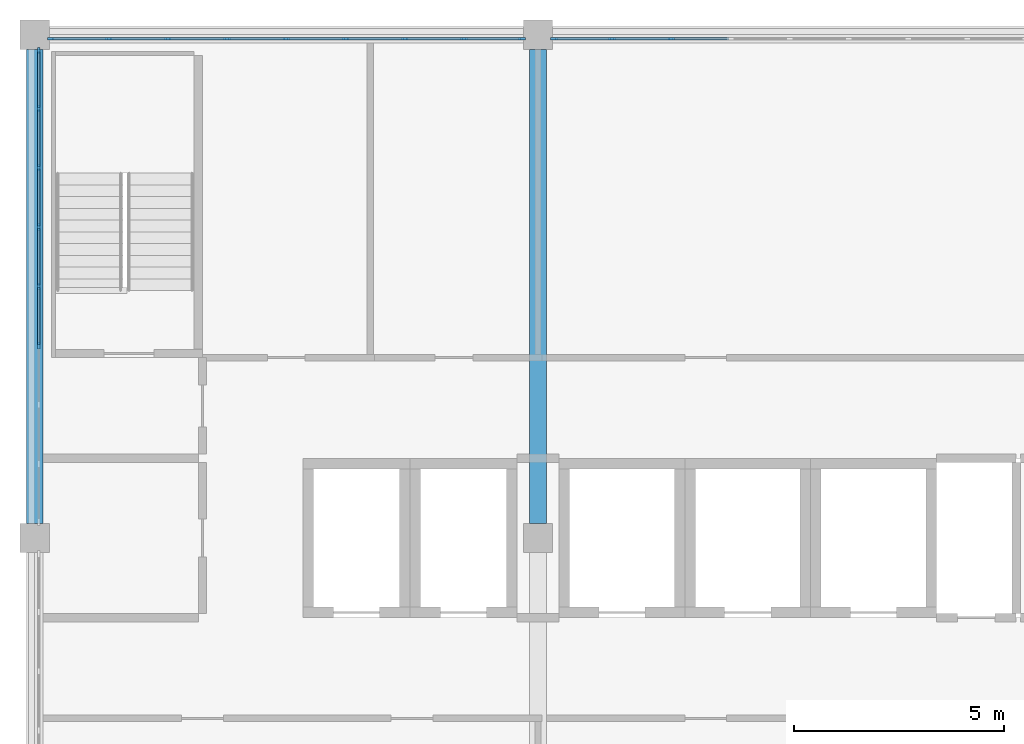
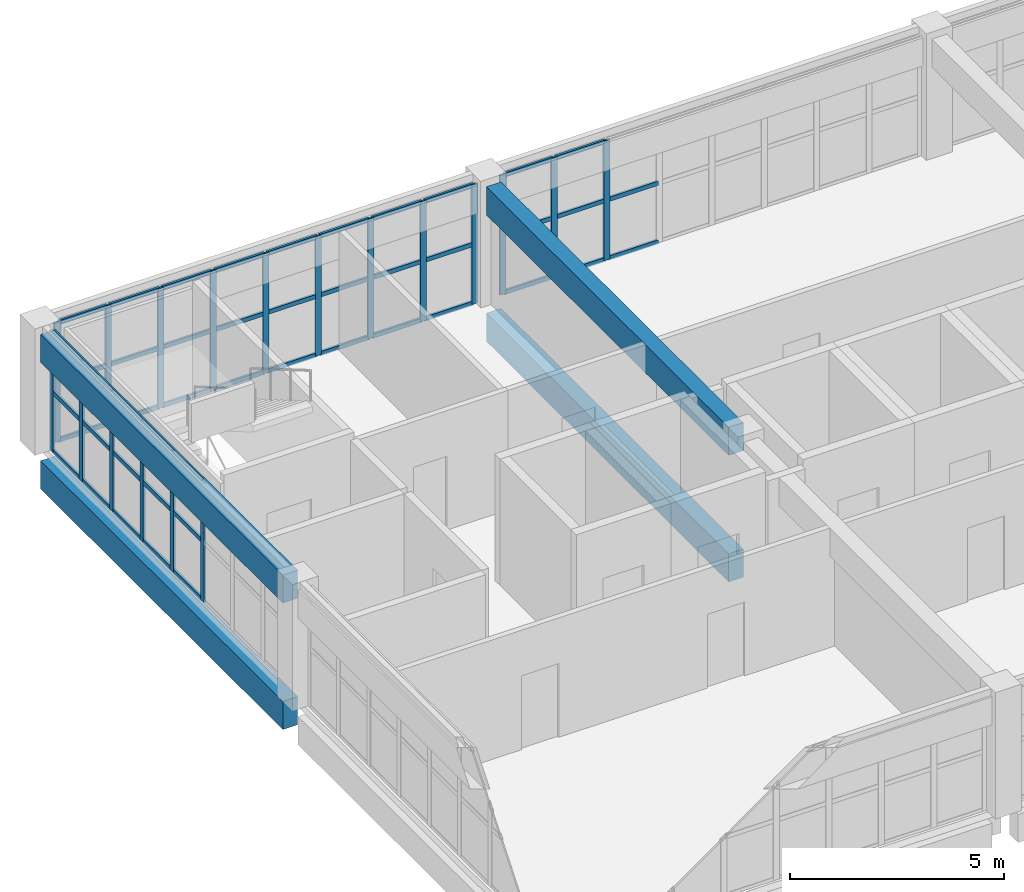
# One storey, part 5 of 16: 65 members, 4 beams, 3 elements without a shape of their own.
"""IFC4 building model written with IfcOpenShell, lengths in metres."""

from ifc_helpers import new_model, si_unit, direction, frame, origin, origin_2d, place, context, subcontext, project, spatial, rectangle, extrude, material, layer, layer_set, material_profile, profile_set, type_object, element, aggregate, save


model = new_model("IFC4")

# Units and contexts
model_context = context("Model", 3, precision=1e-05, world=origin(), true_north=direction((0.0, 1.0)))
body_context = subcontext(model_context, "Body", "Model", "MODEL_VIEW")
ifc_project = project(units=[si_unit("LENGTHUNIT", "METRE"), si_unit("AREAUNIT", "SQUARE_METRE"), si_unit("VOLUMEUNIT", "CUBIC_METRE"), si_unit("PLANEANGLEUNIT", "RADIAN"), si_unit("MASSUNIT", "GRAM", prefix="KILO")], contexts=[model_context])

# Site, building, storey
site_placement = place(None, origin())
site = spatial("IfcSite", under=ifc_project, at=site_placement, CompositionType="ELEMENT")
building_placement = place(site_placement, origin())
building = spatial("IfcBuilding", under=site, at=building_placement, Name="Lilac Gate Convention Centre", CompositionType="ELEMENT")
storey_placement = place(building_placement, frame((0.0, 0.0, 67.800048828125)))
storey = spatial("IfcBuildingStorey", under=building, at=storey_placement, Name="L17", CompositionType="ELEMENT", Elevation=67.800048828125)

# Curtain wall, members
ifc_material_1 = material(Name="Aluminium framed double glazing", Category="aluminium")
ifc_layer = layer(ifc_material_1, 0.199951171875)
ifc_layer_set = layer_set([ifc_layer], Name="Aluminium framed double glazing")
curtain_wall_type = type_object("IfcCurtainWallType", Name="Unitised curtain wall 1500", PredefinedType="NOTDEFINED", material=ifc_layer_set)
curtain_wall_1_placement = place(storey_placement, origin())
curtain_wall_1 = element("IfcCurtainWall", 1, at=curtain_wall_1_placement, inside=storey, type_object=curtain_wall_type, Name="Curtain wall N L17 3", PredefinedType="NOTDEFINED")
ifc_material_2 = material(Name="Aluminium alloy 6063", Category="aluminium")
ifc_material_profile_1 = material_profile(ifc_material_2, rectangle(XDim=0.06005859375, YDim=0.159912109375, at=origin_2d()), Name="Curtain wall mullion 60 x 160")
ifc_profile_set_1 = profile_set([ifc_material_profile_1], Name="Aluminium alloy 6063")
member_type_1 = type_object("IfcMemberType", Name="Curtain wall mullion 60 x 160", PredefinedType="MULLION", material=ifc_profile_set_1)
member_1_placement = place(storey_placement, frame((57.175048828125, 245.89990234375, 0.0), z_axis=(0.0, 0.0, 1.0), x_axis=(0.0, -1.0, 0.0)))
member_1 = element("IfcMember", 2, at=member_1_placement, type_object=member_type_1, Name="CW mullion 7", PredefinedType="MULLION", context=body_context, shape_type="SweptSolid", body=[
    extrude(rectangle(XDim=0.06005859375, YDim=0.159912109375, at=origin_2d()), origin(), (0.0, 0.0, 1.0), 3.39990234375),
])
member_2_placement = place(storey_placement, frame((55.762451171875, 245.89990234375, 0.0), z_axis=(0.0, 0.0, 1.0), x_axis=(0.0, -1.0, 0.0)))
member_2 = element("IfcMember", 3, at=member_2_placement, type_object=member_type_1, Name="CW mullion 8", PredefinedType="MULLION", context=body_context, shape_type="SweptSolid", body=[
    extrude(rectangle(XDim=0.06005859375, YDim=0.159912109375, at=origin_2d()), origin(), (0.0, 0.0, 1.0), 3.39990234375),
])
member_3_placement = place(storey_placement, frame((54.380126953125, 245.89990234375, 0.0), z_axis=(0.0, 0.0, 1.0), x_axis=(0.0, -1.0, 0.0)))
member_3 = element("IfcMember", 4, at=member_3_placement, type_object=member_type_1, Name="CW mullion 9", PredefinedType="MULLION", context=body_context, shape_type="SweptSolid", body=[
    extrude(rectangle(XDim=0.06005859375, YDim=0.159912109375, at=origin_2d()), origin(), (0.0, 0.0, 1.0), 3.39990234375),
])

curtain_wall_2_placement = place(storey_placement, origin())
curtain_wall_2 = element("IfcCurtainWall", 5, at=curtain_wall_2_placement, inside=storey, type_object=curtain_wall_type, Name="Curtain wall N L17 4", PredefinedType="NOTDEFINED")
member_4_placement = place(storey_placement, frame((53.619873046875, 245.89990234375, 0.0), z_axis=(0.0, 0.0, 1.0), x_axis=(0.0, -1.0, 0.0)))
member_4 = element("IfcMember", 6, at=member_4_placement, type_object=member_type_1, Name="CW mullion 1", PredefinedType="MULLION", context=body_context, shape_type="SweptSolid", body=[
    extrude(rectangle(XDim=0.06005859375, YDim=0.159912109375, at=origin_2d()), origin(), (0.0, 0.0, 1.0), 3.39990234375),
])
member_5_placement = place(storey_placement, frame((52.237548828125, 245.89990234375, 0.0), z_axis=(0.0, 0.0, 1.0), x_axis=(0.0, -1.0, 0.0)))
member_5 = element("IfcMember", 7, at=member_5_placement, type_object=member_type_1, Name="CW mullion 2", PredefinedType="MULLION", context=body_context, shape_type="SweptSolid", body=[
    extrude(rectangle(XDim=0.06005859375, YDim=0.159912109375, at=origin_2d()), origin(), (0.0, 0.0, 1.0), 3.39990234375),
])
member_6_placement = place(storey_placement, frame((50.824951171875, 245.89990234375, 0.0), z_axis=(0.0, 0.0, 1.0), x_axis=(0.0, -1.0, 0.0)))
member_6 = element("IfcMember", 8, at=member_6_placement, type_object=member_type_1, Name="CW mullion 3", PredefinedType="MULLION", context=body_context, shape_type="SweptSolid", body=[
    extrude(rectangle(XDim=0.06005859375, YDim=0.159912109375, at=origin_2d()), origin(), (0.0, 0.0, 1.0), 3.39990234375),
])
member_7_placement = place(storey_placement, frame((49.41259765625, 245.89990234375, 0.0), z_axis=(0.0, 0.0, 1.0), x_axis=(0.0, -1.0, 0.0)))
member_7 = element("IfcMember", 9, at=member_7_placement, type_object=member_type_1, Name="CW mullion 4", PredefinedType="MULLION", context=body_context, shape_type="SweptSolid", body=[
    extrude(rectangle(XDim=0.06005859375, YDim=0.159912109375, at=origin_2d()), origin(), (0.0, 0.0, 1.0), 3.39990234375),
])
member_8_placement = place(storey_placement, frame((48.0, 245.89990234375, 0.0), z_axis=(0.0, 0.0, 1.0), x_axis=(0.0, -1.0, 0.0)))
member_8 = element("IfcMember", 10, at=member_8_placement, type_object=member_type_1, Name="CW mullion 5", PredefinedType="MULLION", context=body_context, shape_type="SweptSolid", body=[
    extrude(rectangle(XDim=0.06005859375, YDim=0.159912109375, at=origin_2d()), origin(), (0.0, 0.0, 1.0), 3.39990234375),
])
member_9_placement = place(storey_placement, frame((46.58740234375, 245.89990234375, 0.0), z_axis=(0.0, 0.0, 1.0), x_axis=(0.0, -1.0, 0.0)))
member_9 = element("IfcMember", 11, at=member_9_placement, type_object=member_type_1, Name="CW mullion 6", PredefinedType="MULLION", context=body_context, shape_type="SweptSolid", body=[
    extrude(rectangle(XDim=0.06005859375, YDim=0.159912109375, at=origin_2d()), origin(), (0.0, 0.0, 1.0), 3.39990234375),
])
member_10_placement = place(storey_placement, frame((45.175048828125, 245.89990234375, 0.0), z_axis=(0.0, 0.0, 1.0), x_axis=(0.0, -1.0, 0.0)))
member_10 = element("IfcMember", 12, at=member_10_placement, type_object=member_type_1, Name="CW mullion 7", PredefinedType="MULLION", context=body_context, shape_type="SweptSolid", body=[
    extrude(rectangle(XDim=0.06005859375, YDim=0.159912109375, at=origin_2d()), origin(), (0.0, 0.0, 1.0), 3.39990234375),
])
member_11_placement = place(storey_placement, frame((43.762451171875, 245.89990234375, 0.0), z_axis=(0.0, 0.0, 1.0), x_axis=(0.0, -1.0, 0.0)))
member_11 = element("IfcMember", 13, at=member_11_placement, type_object=member_type_1, Name="CW mullion 8", PredefinedType="MULLION", context=body_context, shape_type="SweptSolid", body=[
    extrude(rectangle(XDim=0.06005859375, YDim=0.159912109375, at=origin_2d()), origin(), (0.0, 0.0, 1.0), 3.39990234375),
])
member_12_placement = place(storey_placement, frame((42.380126953125, 245.89990234375, 0.0), z_axis=(0.0, 0.0, 1.0), x_axis=(0.0, -1.0, 0.0)))
member_12 = element("IfcMember", 14, at=member_12_placement, type_object=member_type_1, Name="CW mullion 9", PredefinedType="MULLION", context=body_context, shape_type="SweptSolid", body=[
    extrude(rectangle(XDim=0.06005859375, YDim=0.159912109375, at=origin_2d()), origin(), (0.0, 0.0, 1.0), 3.39990234375),
])

curtain_wall_3_placement = place(storey_placement, origin())
curtain_wall_3 = element("IfcCurtainWall", 15, at=curtain_wall_3_placement, inside=storey, type_object=curtain_wall_type, Name="Curtain wall W L17 1", PredefinedType="NOTDEFINED")
member_13_placement = place(storey_placement, frame((42.10009765625, 245.619873046875, 0.0), z_axis=(0.0, 0.0, 1.0), x_axis=(1.0, 0.0, 0.0)))
member_13 = element("IfcMember", 16, at=member_13_placement, type_object=member_type_1, Name="CW mullion 1", PredefinedType="MULLION", context=body_context, shape_type="SweptSolid", body=[
    extrude(rectangle(XDim=0.06005859375, YDim=0.159912109375, at=origin_2d()), origin(), (0.0, 0.0, 1.0), 3.39990234375),
])
member_14_placement = place(storey_placement, frame((42.10009765625, 244.237548828125, 0.0), z_axis=(0.0, 0.0, 1.0), x_axis=(1.0, 0.0, 0.0)))
member_14 = element("IfcMember", 17, at=member_14_placement, type_object=member_type_1, Name="CW mullion 2", PredefinedType="MULLION", context=body_context, shape_type="SweptSolid", body=[
    extrude(rectangle(XDim=0.06005859375, YDim=0.159912109375, at=origin_2d()), origin(), (0.0, 0.0, 1.0), 3.39990234375),
])
member_15_placement = place(storey_placement, frame((42.10009765625, 242.824951171875, 0.0), z_axis=(0.0, 0.0, 1.0), x_axis=(1.0, 0.0, 0.0)))
member_15 = element("IfcMember", 18, at=member_15_placement, type_object=member_type_1, Name="CW mullion 3", PredefinedType="MULLION", context=body_context, shape_type="SweptSolid", body=[
    extrude(rectangle(XDim=0.06005859375, YDim=0.159912109375, at=origin_2d()), origin(), (0.0, 0.0, 1.0), 3.39990234375),
])
member_16_placement = place(storey_placement, frame((42.10009765625, 241.41259765625, 0.0), z_axis=(0.0, 0.0, 1.0), x_axis=(1.0, 0.0, 0.0)))
member_16 = element("IfcMember", 19, at=member_16_placement, type_object=member_type_1, Name="CW mullion 4", PredefinedType="MULLION", context=body_context, shape_type="SweptSolid", body=[
    extrude(rectangle(XDim=0.06005859375, YDim=0.159912109375, at=origin_2d()), origin(), (0.0, 0.0, 1.0), 3.39990234375),
])
member_17_placement = place(storey_placement, frame((42.10009765625, 240.0, 0.0), z_axis=(0.0, 0.0, 1.0), x_axis=(1.0, 0.0, 0.0)))
member_17 = element("IfcMember", 20, at=member_17_placement, type_object=member_type_1, Name="CW mullion 5", PredefinedType="MULLION", context=body_context, shape_type="SweptSolid", body=[
    extrude(rectangle(XDim=0.06005859375, YDim=0.159912109375, at=origin_2d()), origin(), (0.0, 0.0, 1.0), 3.39990234375),
])
member_18_placement = place(storey_placement, frame((42.10009765625, 238.58740234375, 0.0), z_axis=(0.0, 0.0, 1.0), x_axis=(1.0, 0.0, 0.0)))
member_18 = element("IfcMember", 21, at=member_18_placement, type_object=member_type_1, Name="CW mullion 6", PredefinedType="MULLION", context=body_context, shape_type="SweptSolid", body=[
    extrude(rectangle(XDim=0.06005859375, YDim=0.159912109375, at=origin_2d()), origin(), (0.0, 0.0, 1.0), 3.39990234375),
])

# Member
ifc_material_profile_2 = material_profile(ifc_material_2, rectangle(XDim=0.06005859375, YDim=0.1201171875, at=origin_2d()), Name="Curtain wall transom 60 x 120")
ifc_profile_set_2 = profile_set([ifc_material_profile_2], Name="Aluminium alloy 6063")
member_type_2 = type_object("IfcMemberType", Name="Curtain wall transom 60 x 120", PredefinedType="USERDEFINED", material=ifc_profile_set_2)
member_19_placement = place(storey_placement, frame((58.5576171875, 245.89990234375, 0.030029296875), z_axis=(-1.0, 0.0, 0.0), x_axis=(0.0, -1.0, 0.0)))
member_19 = element("IfcMember", 22, at=member_19_placement, type_object=member_type_2, Name="CW transom 6.1", ObjectType="TRANSOM", PredefinedType="USERDEFINED", context=body_context, shape_type="SweptSolid", body=[
    extrude(rectangle(XDim=0.06005859375, YDim=0.1201171875, at=origin_2d()), origin(), (0.0, 0.0, 1.0), 1.3525390625),
])

member_20_placement = place(storey_placement, frame((58.5576171875, 245.89990234375, 1.699951171875), z_axis=(-1.0, 0.0, 0.0), x_axis=(0.0, -1.0, 0.0)))
member_20 = element("IfcMember", 23, at=member_20_placement, type_object=member_type_2, Name="CW transom 6.2", ObjectType="TRANSOM", PredefinedType="USERDEFINED", context=body_context, shape_type="SweptSolid", body=[
    extrude(rectangle(XDim=0.06005859375, YDim=0.1201171875, at=origin_2d()), origin(), (0.0, 0.0, 1.0), 1.3525390625),
])

member_21_placement = place(storey_placement, frame((57.14501953125, 245.89990234375, 0.030029296875), z_axis=(-1.0, 0.0, 0.0), x_axis=(0.0, -1.0, 0.0)))
member_21 = element("IfcMember", 24, at=member_21_placement, type_object=member_type_2, Name="CW transom 7.1", ObjectType="TRANSOM", PredefinedType="USERDEFINED", context=body_context, shape_type="SweptSolid", body=[
    extrude(rectangle(XDim=0.06005859375, YDim=0.1201171875, at=origin_2d()), origin(), (0.0, 0.0, 1.0), 1.3525390625),
])

member_22_placement = place(storey_placement, frame((57.14501953125, 245.89990234375, 1.699951171875), z_axis=(-1.0, 0.0, 0.0), x_axis=(0.0, -1.0, 0.0)))
member_22 = element("IfcMember", 25, at=member_22_placement, type_object=member_type_2, Name="CW transom 7.2", ObjectType="TRANSOM", PredefinedType="USERDEFINED", context=body_context, shape_type="SweptSolid", body=[
    extrude(rectangle(XDim=0.06005859375, YDim=0.1201171875, at=origin_2d()), origin(), (0.0, 0.0, 1.0), 1.3525390625),
])

member_23_placement = place(storey_placement, frame((57.14501953125, 245.89990234375, 3.369873046875), z_axis=(-1.0, 0.0, 0.0), x_axis=(0.0, -1.0, 0.0)))
member_23 = element("IfcMember", 26, at=member_23_placement, type_object=member_type_2, Name="CW transom 7.3", ObjectType="TRANSOM", PredefinedType="USERDEFINED", context=body_context, shape_type="SweptSolid", body=[
    extrude(rectangle(XDim=0.06005859375, YDim=0.1201171875, at=origin_2d()), origin(), (0.0, 0.0, 1.0), 1.3525390625),
])

member_24_placement = place(storey_placement, frame((55.732666015625, 245.89990234375, 0.030029296875), z_axis=(-1.0, 0.0, 0.0), x_axis=(0.0, -1.0, 0.0)))
member_24 = element("IfcMember", 27, at=member_24_placement, type_object=member_type_2, Name="CW transom 8.1", ObjectType="TRANSOM", PredefinedType="USERDEFINED", context=body_context, shape_type="SweptSolid", body=[
    extrude(rectangle(XDim=0.06005859375, YDim=0.1201171875, at=origin_2d()), origin(), (0.0, 0.0, 1.0), 1.322509765625),
])

member_25_placement = place(storey_placement, frame((55.732666015625, 245.89990234375, 1.699951171875), z_axis=(-1.0, 0.0, 0.0), x_axis=(0.0, -1.0, 0.0)))
member_25 = element("IfcMember", 28, at=member_25_placement, type_object=member_type_2, Name="CW transom 8.2", ObjectType="TRANSOM", PredefinedType="USERDEFINED", context=body_context, shape_type="SweptSolid", body=[
    extrude(rectangle(XDim=0.06005859375, YDim=0.1201171875, at=origin_2d()), origin(), (0.0, 0.0, 1.0), 1.322509765625),
])

member_26_placement = place(storey_placement, frame((55.732666015625, 245.89990234375, 3.369873046875), z_axis=(-1.0, 0.0, 0.0), x_axis=(0.0, -1.0, 0.0)))
member_26 = element("IfcMember", 29, at=member_26_placement, type_object=member_type_2, Name="CW transom 8.3", ObjectType="TRANSOM", PredefinedType="USERDEFINED", context=body_context, shape_type="SweptSolid", body=[
    extrude(rectangle(XDim=0.06005859375, YDim=0.1201171875, at=origin_2d()), origin(), (0.0, 0.0, 1.0), 1.322509765625),
])

aggregate(curtain_wall_1, [member_1, member_2, member_3, member_19, member_20, member_21, member_22, member_23, member_24, member_25, member_26])

member_27_placement = place(storey_placement, frame((53.58984375, 245.89990234375, 0.030029296875), z_axis=(-1.0, 0.0, 0.0), x_axis=(0.0, -1.0, 0.0)))
member_27 = element("IfcMember", 30, at=member_27_placement, type_object=member_type_2, Name="CW transom 1.1", ObjectType="TRANSOM", PredefinedType="USERDEFINED", context=body_context, shape_type="SweptSolid", body=[
    extrude(rectangle(XDim=0.06005859375, YDim=0.1201171875, at=origin_2d()), origin(), (0.0, 0.0, 1.0), 1.322509765625),
])

member_28_placement = place(storey_placement, frame((53.58984375, 245.89990234375, 1.699951171875), z_axis=(-1.0, 0.0, 0.0), x_axis=(0.0, -1.0, 0.0)))
member_28 = element("IfcMember", 31, at=member_28_placement, type_object=member_type_2, Name="CW transom 1.2", ObjectType="TRANSOM", PredefinedType="USERDEFINED", context=body_context, shape_type="SweptSolid", body=[
    extrude(rectangle(XDim=0.06005859375, YDim=0.1201171875, at=origin_2d()), origin(), (0.0, 0.0, 1.0), 1.322509765625),
])

member_29_placement = place(storey_placement, frame((53.58984375, 245.89990234375, 3.369873046875), z_axis=(-1.0, 0.0, 0.0), x_axis=(0.0, -1.0, 0.0)))
member_29 = element("IfcMember", 32, at=member_29_placement, type_object=member_type_2, Name="CW transom 1.3", ObjectType="TRANSOM", PredefinedType="USERDEFINED", context=body_context, shape_type="SweptSolid", body=[
    extrude(rectangle(XDim=0.06005859375, YDim=0.1201171875, at=origin_2d()), origin(), (0.0, 0.0, 1.0), 1.322509765625),
])

member_30_placement = place(storey_placement, frame((52.20751953125, 245.89990234375, 0.030029296875), z_axis=(-1.0, 0.0, 0.0), x_axis=(0.0, -1.0, 0.0)))
member_30 = element("IfcMember", 33, at=member_30_placement, type_object=member_type_2, Name="CW transom 2.1", ObjectType="TRANSOM", PredefinedType="USERDEFINED", context=body_context, shape_type="SweptSolid", body=[
    extrude(rectangle(XDim=0.06005859375, YDim=0.1201171875, at=origin_2d()), origin(), (0.0, 0.0, 1.0), 1.3525390625),
])

member_31_placement = place(storey_placement, frame((52.20751953125, 245.89990234375, 1.699951171875), z_axis=(-1.0, 0.0, 0.0), x_axis=(0.0, -1.0, 0.0)))
member_31 = element("IfcMember", 34, at=member_31_placement, type_object=member_type_2, Name="CW transom 2.2", ObjectType="TRANSOM", PredefinedType="USERDEFINED", context=body_context, shape_type="SweptSolid", body=[
    extrude(rectangle(XDim=0.06005859375, YDim=0.1201171875, at=origin_2d()), origin(), (0.0, 0.0, 1.0), 1.3525390625),
])

member_32_placement = place(storey_placement, frame((52.20751953125, 245.89990234375, 3.369873046875), z_axis=(-1.0, 0.0, 0.0), x_axis=(0.0, -1.0, 0.0)))
member_32 = element("IfcMember", 35, at=member_32_placement, type_object=member_type_2, Name="CW transom 2.3", ObjectType="TRANSOM", PredefinedType="USERDEFINED", context=body_context, shape_type="SweptSolid", body=[
    extrude(rectangle(XDim=0.06005859375, YDim=0.1201171875, at=origin_2d()), origin(), (0.0, 0.0, 1.0), 1.3525390625),
])

member_33_placement = place(storey_placement, frame((50.794921875, 245.89990234375, 0.030029296875), z_axis=(-1.0, 0.0, 0.0), x_axis=(0.0, -1.0, 0.0)))
member_33 = element("IfcMember", 36, at=member_33_placement, type_object=member_type_2, Name="CW transom 3.1", ObjectType="TRANSOM", PredefinedType="USERDEFINED", context=body_context, shape_type="SweptSolid", body=[
    extrude(rectangle(XDim=0.06005859375, YDim=0.1201171875, at=origin_2d()), origin(), (0.0, 0.0, 1.0), 1.3525390625),
])

member_34_placement = place(storey_placement, frame((50.794921875, 245.89990234375, 1.699951171875), z_axis=(-1.0, 0.0, 0.0), x_axis=(0.0, -1.0, 0.0)))
member_34 = element("IfcMember", 37, at=member_34_placement, type_object=member_type_2, Name="CW transom 3.2", ObjectType="TRANSOM", PredefinedType="USERDEFINED", context=body_context, shape_type="SweptSolid", body=[
    extrude(rectangle(XDim=0.06005859375, YDim=0.1201171875, at=origin_2d()), origin(), (0.0, 0.0, 1.0), 1.3525390625),
])

member_35_placement = place(storey_placement, frame((50.794921875, 245.89990234375, 3.369873046875), z_axis=(-1.0, 0.0, 0.0), x_axis=(0.0, -1.0, 0.0)))
member_35 = element("IfcMember", 38, at=member_35_placement, type_object=member_type_2, Name="CW transom 3.3", ObjectType="TRANSOM", PredefinedType="USERDEFINED", context=body_context, shape_type="SweptSolid", body=[
    extrude(rectangle(XDim=0.06005859375, YDim=0.1201171875, at=origin_2d()), origin(), (0.0, 0.0, 1.0), 1.3525390625),
])

member_36_placement = place(storey_placement, frame((49.382568359375, 245.89990234375, 0.030029296875), z_axis=(-1.0, 0.0, 0.0), x_axis=(0.0, -1.0, 0.0)))
member_36 = element("IfcMember", 39, at=member_36_placement, type_object=member_type_2, Name="CW transom 4.1", ObjectType="TRANSOM", PredefinedType="USERDEFINED", context=body_context, shape_type="SweptSolid", body=[
    extrude(rectangle(XDim=0.06005859375, YDim=0.1201171875, at=origin_2d()), origin(), (0.0, 0.0, 1.0), 1.3525390625),
])

member_37_placement = place(storey_placement, frame((49.382568359375, 245.89990234375, 1.699951171875), z_axis=(-1.0, 0.0, 0.0), x_axis=(0.0, -1.0, 0.0)))
member_37 = element("IfcMember", 40, at=member_37_placement, type_object=member_type_2, Name="CW transom 4.2", ObjectType="TRANSOM", PredefinedType="USERDEFINED", context=body_context, shape_type="SweptSolid", body=[
    extrude(rectangle(XDim=0.06005859375, YDim=0.1201171875, at=origin_2d()), origin(), (0.0, 0.0, 1.0), 1.3525390625),
])

member_38_placement = place(storey_placement, frame((49.382568359375, 245.89990234375, 3.369873046875), z_axis=(-1.0, 0.0, 0.0), x_axis=(0.0, -1.0, 0.0)))
member_38 = element("IfcMember", 41, at=member_38_placement, type_object=member_type_2, Name="CW transom 4.3", ObjectType="TRANSOM", PredefinedType="USERDEFINED", context=body_context, shape_type="SweptSolid", body=[
    extrude(rectangle(XDim=0.06005859375, YDim=0.1201171875, at=origin_2d()), origin(), (0.0, 0.0, 1.0), 1.3525390625),
])

member_39_placement = place(storey_placement, frame((47.969970703125, 245.89990234375, 0.030029296875), z_axis=(-1.0, 0.0, 0.0), x_axis=(0.0, -1.0, 0.0)))
member_39 = element("IfcMember", 42, at=member_39_placement, type_object=member_type_2, Name="CW transom 5.1", ObjectType="TRANSOM", PredefinedType="USERDEFINED", context=body_context, shape_type="SweptSolid", body=[
    extrude(rectangle(XDim=0.06005859375, YDim=0.1201171875, at=origin_2d()), origin(), (0.0, 0.0, 1.0), 1.3525390625),
])

member_40_placement = place(storey_placement, frame((47.969970703125, 245.89990234375, 1.699951171875), z_axis=(-1.0, 0.0, 0.0), x_axis=(0.0, -1.0, 0.0)))
member_40 = element("IfcMember", 43, at=member_40_placement, type_object=member_type_2, Name="CW transom 5.2", ObjectType="TRANSOM", PredefinedType="USERDEFINED", context=body_context, shape_type="SweptSolid", body=[
    extrude(rectangle(XDim=0.06005859375, YDim=0.1201171875, at=origin_2d()), origin(), (0.0, 0.0, 1.0), 1.3525390625),
])

member_41_placement = place(storey_placement, frame((47.969970703125, 245.89990234375, 3.369873046875), z_axis=(-1.0, 0.0, 0.0), x_axis=(0.0, -1.0, 0.0)))
member_41 = element("IfcMember", 44, at=member_41_placement, type_object=member_type_2, Name="CW transom 5.3", ObjectType="TRANSOM", PredefinedType="USERDEFINED", context=body_context, shape_type="SweptSolid", body=[
    extrude(rectangle(XDim=0.06005859375, YDim=0.1201171875, at=origin_2d()), origin(), (0.0, 0.0, 1.0), 1.3525390625),
])

member_42_placement = place(storey_placement, frame((46.5576171875, 245.89990234375, 0.030029296875), z_axis=(-1.0, 0.0, 0.0), x_axis=(0.0, -1.0, 0.0)))
member_42 = element("IfcMember", 45, at=member_42_placement, type_object=member_type_2, Name="CW transom 6.1", ObjectType="TRANSOM", PredefinedType="USERDEFINED", context=body_context, shape_type="SweptSolid", body=[
    extrude(rectangle(XDim=0.06005859375, YDim=0.1201171875, at=origin_2d()), origin(), (0.0, 0.0, 1.0), 1.3525390625),
])

member_43_placement = place(storey_placement, frame((46.5576171875, 245.89990234375, 1.699951171875), z_axis=(-1.0, 0.0, 0.0), x_axis=(0.0, -1.0, 0.0)))
member_43 = element("IfcMember", 46, at=member_43_placement, type_object=member_type_2, Name="CW transom 6.2", ObjectType="TRANSOM", PredefinedType="USERDEFINED", context=body_context, shape_type="SweptSolid", body=[
    extrude(rectangle(XDim=0.06005859375, YDim=0.1201171875, at=origin_2d()), origin(), (0.0, 0.0, 1.0), 1.3525390625),
])

member_44_placement = place(storey_placement, frame((46.5576171875, 245.89990234375, 3.369873046875), z_axis=(-1.0, 0.0, 0.0), x_axis=(0.0, -1.0, 0.0)))
member_44 = element("IfcMember", 47, at=member_44_placement, type_object=member_type_2, Name="CW transom 6.3", ObjectType="TRANSOM", PredefinedType="USERDEFINED", context=body_context, shape_type="SweptSolid", body=[
    extrude(rectangle(XDim=0.06005859375, YDim=0.1201171875, at=origin_2d()), origin(), (0.0, 0.0, 1.0), 1.3525390625),
])

member_45_placement = place(storey_placement, frame((45.14501953125, 245.89990234375, 0.030029296875), z_axis=(-1.0, 0.0, 0.0), x_axis=(0.0, -1.0, 0.0)))
member_45 = element("IfcMember", 48, at=member_45_placement, type_object=member_type_2, Name="CW transom 7.1", ObjectType="TRANSOM", PredefinedType="USERDEFINED", context=body_context, shape_type="SweptSolid", body=[
    extrude(rectangle(XDim=0.06005859375, YDim=0.1201171875, at=origin_2d()), origin(), (0.0, 0.0, 1.0), 1.3525390625),
])

member_46_placement = place(storey_placement, frame((45.14501953125, 245.89990234375, 1.699951171875), z_axis=(-1.0, 0.0, 0.0), x_axis=(0.0, -1.0, 0.0)))
member_46 = element("IfcMember", 49, at=member_46_placement, type_object=member_type_2, Name="CW transom 7.2", ObjectType="TRANSOM", PredefinedType="USERDEFINED", context=body_context, shape_type="SweptSolid", body=[
    extrude(rectangle(XDim=0.06005859375, YDim=0.1201171875, at=origin_2d()), origin(), (0.0, 0.0, 1.0), 1.3525390625),
])

member_47_placement = place(storey_placement, frame((45.14501953125, 245.89990234375, 3.369873046875), z_axis=(-1.0, 0.0, 0.0), x_axis=(0.0, -1.0, 0.0)))
member_47 = element("IfcMember", 50, at=member_47_placement, type_object=member_type_2, Name="CW transom 7.3", ObjectType="TRANSOM", PredefinedType="USERDEFINED", context=body_context, shape_type="SweptSolid", body=[
    extrude(rectangle(XDim=0.06005859375, YDim=0.1201171875, at=origin_2d()), origin(), (0.0, 0.0, 1.0), 1.3525390625),
])

member_48_placement = place(storey_placement, frame((43.732666015625, 245.89990234375, 0.030029296875), z_axis=(-1.0, 0.0, 0.0), x_axis=(0.0, -1.0, 0.0)))
member_48 = element("IfcMember", 51, at=member_48_placement, type_object=member_type_2, Name="CW transom 8.1", ObjectType="TRANSOM", PredefinedType="USERDEFINED", context=body_context, shape_type="SweptSolid", body=[
    extrude(rectangle(XDim=0.06005859375, YDim=0.1201171875, at=origin_2d()), origin(), (0.0, 0.0, 1.0), 1.322509765625),
])

member_49_placement = place(storey_placement, frame((43.732666015625, 245.89990234375, 1.699951171875), z_axis=(-1.0, 0.0, 0.0), x_axis=(0.0, -1.0, 0.0)))
member_49 = element("IfcMember", 52, at=member_49_placement, type_object=member_type_2, Name="CW transom 8.2", ObjectType="TRANSOM", PredefinedType="USERDEFINED", context=body_context, shape_type="SweptSolid", body=[
    extrude(rectangle(XDim=0.06005859375, YDim=0.1201171875, at=origin_2d()), origin(), (0.0, 0.0, 1.0), 1.322509765625),
])

member_50_placement = place(storey_placement, frame((43.732666015625, 245.89990234375, 3.369873046875), z_axis=(-1.0, 0.0, 0.0), x_axis=(0.0, -1.0, 0.0)))
member_50 = element("IfcMember", 53, at=member_50_placement, type_object=member_type_2, Name="CW transom 8.3", ObjectType="TRANSOM", PredefinedType="USERDEFINED", context=body_context, shape_type="SweptSolid", body=[
    extrude(rectangle(XDim=0.06005859375, YDim=0.1201171875, at=origin_2d()), origin(), (0.0, 0.0, 1.0), 1.322509765625),
])

aggregate(curtain_wall_2, [member_4, member_5, member_6, member_7, member_8, member_9, member_10, member_11, member_12, member_27, member_28, member_29, member_30, member_31, member_32, member_33, member_34, member_35, member_36, member_37, member_38, member_39, member_40, member_41, member_42, member_43, member_44, member_45, member_46, member_47, member_48, member_49, member_50])

member_51_placement = place(storey_placement, frame((42.10009765625, 245.58984375, 0.030029296875), z_axis=(0.0, -1.0, 0.0), x_axis=(1.0, 0.0, 0.0)))
member_51 = element("IfcMember", 54, at=member_51_placement, type_object=member_type_2, Name="CW transom 1.1", ObjectType="TRANSOM", PredefinedType="USERDEFINED", context=body_context, shape_type="SweptSolid", body=[
    extrude(rectangle(XDim=0.06005859375, YDim=0.1201171875, at=origin_2d()), origin(), (0.0, 0.0, 1.0), 1.322509765625),
])

member_52_placement = place(storey_placement, frame((42.10009765625, 245.58984375, 1.699951171875), z_axis=(0.0, -1.0, 0.0), x_axis=(1.0, 0.0, 0.0)))
member_52 = element("IfcMember", 55, at=member_52_placement, type_object=member_type_2, Name="CW transom 1.2", ObjectType="TRANSOM", PredefinedType="USERDEFINED", context=body_context, shape_type="SweptSolid", body=[
    extrude(rectangle(XDim=0.06005859375, YDim=0.1201171875, at=origin_2d()), origin(), (0.0, 0.0, 1.0), 1.322509765625),
])

member_53_placement = place(storey_placement, frame((42.10009765625, 245.58984375, 3.369873046875), z_axis=(0.0, -1.0, 0.0), x_axis=(1.0, 0.0, 0.0)))
member_53 = element("IfcMember", 56, at=member_53_placement, type_object=member_type_2, Name="CW transom 1.3", ObjectType="TRANSOM", PredefinedType="USERDEFINED", context=body_context, shape_type="SweptSolid", body=[
    extrude(rectangle(XDim=0.06005859375, YDim=0.1201171875, at=origin_2d()), origin(), (0.0, 0.0, 1.0), 1.322509765625),
])

member_54_placement = place(storey_placement, frame((42.10009765625, 244.20751953125, 0.030029296875), z_axis=(0.0, -1.0, 0.0), x_axis=(1.0, 0.0, 0.0)))
member_54 = element("IfcMember", 57, at=member_54_placement, type_object=member_type_2, Name="CW transom 2.1", ObjectType="TRANSOM", PredefinedType="USERDEFINED", context=body_context, shape_type="SweptSolid", body=[
    extrude(rectangle(XDim=0.06005859375, YDim=0.1201171875, at=origin_2d()), origin(), (0.0, 0.0, 1.0), 1.3525390625),
])

member_55_placement = place(storey_placement, frame((42.10009765625, 244.20751953125, 1.699951171875), z_axis=(0.0, -1.0, 0.0), x_axis=(1.0, 0.0, 0.0)))
member_55 = element("IfcMember", 58, at=member_55_placement, type_object=member_type_2, Name="CW transom 2.2", ObjectType="TRANSOM", PredefinedType="USERDEFINED", context=body_context, shape_type="SweptSolid", body=[
    extrude(rectangle(XDim=0.06005859375, YDim=0.1201171875, at=origin_2d()), origin(), (0.0, 0.0, 1.0), 1.3525390625),
])

member_56_placement = place(storey_placement, frame((42.10009765625, 244.20751953125, 3.369873046875), z_axis=(0.0, -1.0, 0.0), x_axis=(1.0, 0.0, 0.0)))
member_56 = element("IfcMember", 59, at=member_56_placement, type_object=member_type_2, Name="CW transom 2.3", ObjectType="TRANSOM", PredefinedType="USERDEFINED", context=body_context, shape_type="SweptSolid", body=[
    extrude(rectangle(XDim=0.06005859375, YDim=0.1201171875, at=origin_2d()), origin(), (0.0, 0.0, 1.0), 1.3525390625),
])

member_57_placement = place(storey_placement, frame((42.10009765625, 242.794921875, 0.030029296875), z_axis=(0.0, -1.0, 0.0), x_axis=(1.0, 0.0, 0.0)))
member_57 = element("IfcMember", 60, at=member_57_placement, type_object=member_type_2, Name="CW transom 3.1", ObjectType="TRANSOM", PredefinedType="USERDEFINED", context=body_context, shape_type="SweptSolid", body=[
    extrude(rectangle(XDim=0.06005859375, YDim=0.1201171875, at=origin_2d()), origin(), (0.0, 0.0, 1.0), 1.3525390625),
])

member_58_placement = place(storey_placement, frame((42.10009765625, 242.794921875, 1.699951171875), z_axis=(0.0, -1.0, 0.0), x_axis=(1.0, 0.0, 0.0)))
member_58 = element("IfcMember", 61, at=member_58_placement, type_object=member_type_2, Name="CW transom 3.2", ObjectType="TRANSOM", PredefinedType="USERDEFINED", context=body_context, shape_type="SweptSolid", body=[
    extrude(rectangle(XDim=0.06005859375, YDim=0.1201171875, at=origin_2d()), origin(), (0.0, 0.0, 1.0), 1.3525390625),
])

member_59_placement = place(storey_placement, frame((42.10009765625, 242.794921875, 3.369873046875), z_axis=(0.0, -1.0, 0.0), x_axis=(1.0, 0.0, 0.0)))
member_59 = element("IfcMember", 62, at=member_59_placement, type_object=member_type_2, Name="CW transom 3.3", ObjectType="TRANSOM", PredefinedType="USERDEFINED", context=body_context, shape_type="SweptSolid", body=[
    extrude(rectangle(XDim=0.06005859375, YDim=0.1201171875, at=origin_2d()), origin(), (0.0, 0.0, 1.0), 1.3525390625),
])

member_60_placement = place(storey_placement, frame((42.10009765625, 241.382568359375, 0.030029296875), z_axis=(0.0, -1.0, 0.0), x_axis=(1.0, 0.0, 0.0)))
member_60 = element("IfcMember", 63, at=member_60_placement, type_object=member_type_2, Name="CW transom 4.1", ObjectType="TRANSOM", PredefinedType="USERDEFINED", context=body_context, shape_type="SweptSolid", body=[
    extrude(rectangle(XDim=0.06005859375, YDim=0.1201171875, at=origin_2d()), origin(), (0.0, 0.0, 1.0), 1.3525390625),
])

member_61_placement = place(storey_placement, frame((42.10009765625, 241.382568359375, 1.699951171875), z_axis=(0.0, -1.0, 0.0), x_axis=(1.0, 0.0, 0.0)))
member_61 = element("IfcMember", 64, at=member_61_placement, type_object=member_type_2, Name="CW transom 4.2", ObjectType="TRANSOM", PredefinedType="USERDEFINED", context=body_context, shape_type="SweptSolid", body=[
    extrude(rectangle(XDim=0.06005859375, YDim=0.1201171875, at=origin_2d()), origin(), (0.0, 0.0, 1.0), 1.3525390625),
])

member_62_placement = place(storey_placement, frame((42.10009765625, 241.382568359375, 3.369873046875), z_axis=(0.0, -1.0, 0.0), x_axis=(1.0, 0.0, 0.0)))
member_62 = element("IfcMember", 65, at=member_62_placement, type_object=member_type_2, Name="CW transom 4.3", ObjectType="TRANSOM", PredefinedType="USERDEFINED", context=body_context, shape_type="SweptSolid", body=[
    extrude(rectangle(XDim=0.06005859375, YDim=0.1201171875, at=origin_2d()), origin(), (0.0, 0.0, 1.0), 1.3525390625),
])

member_63_placement = place(storey_placement, frame((42.10009765625, 239.969970703125, 0.030029296875), z_axis=(0.0, -1.0, 0.0), x_axis=(1.0, 0.0, 0.0)))
member_63 = element("IfcMember", 66, at=member_63_placement, type_object=member_type_2, Name="CW transom 5.1", ObjectType="TRANSOM", PredefinedType="USERDEFINED", context=body_context, shape_type="SweptSolid", body=[
    extrude(rectangle(XDim=0.06005859375, YDim=0.1201171875, at=origin_2d()), origin(), (0.0, 0.0, 1.0), 1.3525390625),
])

member_64_placement = place(storey_placement, frame((42.10009765625, 239.969970703125, 1.699951171875), z_axis=(0.0, -1.0, 0.0), x_axis=(1.0, 0.0, 0.0)))
member_64 = element("IfcMember", 67, at=member_64_placement, type_object=member_type_2, Name="CW transom 5.2", ObjectType="TRANSOM", PredefinedType="USERDEFINED", context=body_context, shape_type="SweptSolid", body=[
    extrude(rectangle(XDim=0.06005859375, YDim=0.1201171875, at=origin_2d()), origin(), (0.0, 0.0, 1.0), 1.3525390625),
])

member_65_placement = place(storey_placement, frame((42.10009765625, 239.969970703125, 3.369873046875), z_axis=(0.0, -1.0, 0.0), x_axis=(1.0, 0.0, 0.0)))
member_65 = element("IfcMember", 68, at=member_65_placement, type_object=member_type_2, Name="CW transom 5.3", ObjectType="TRANSOM", PredefinedType="USERDEFINED", context=body_context, shape_type="SweptSolid", body=[
    extrude(rectangle(XDim=0.06005859375, YDim=0.1201171875, at=origin_2d()), origin(), (0.0, 0.0, 1.0), 1.3525390625),
])

aggregate(curtain_wall_3, [member_13, member_14, member_15, member_16, member_17, member_18, member_51, member_52, member_53, member_54, member_55, member_56, member_57, member_58, member_59, member_60, member_61, member_62, member_63, member_64, member_65])

# Beams
ifc_material_3 = material(Name="Concrete C40", Category="concrete")
ifc_material_profile_3 = material_profile(ifc_material_3, rectangle(XDim=0.39990234375, YDim=0.800048828125, at=origin_2d()), Name="RC 400x800")
ifc_profile_set_3 = profile_set([ifc_material_profile_3], Name="Concrete C40")
beam_type = type_object("IfcBeamType", Name="Tower primary beam 400x800 C40", PredefinedType="BEAM", material=ifc_profile_set_3)
for number, where, z_axis, x_axis, name in (
    (69, (42.0, 234.35009765625, -0.60009765625), (0.0, 1.0, 0.0), (-1.0, 0.0, 0.0), "RB3 L17 4/T-4/U"),
    (70, (54.0, 234.35009765625, -0.60009765625), (0.0, 1.0, 0.0), (-1.0, 0.0, 0.0), "RB3 L17 5/T-5/U"),
    (71, (42.0, 234.35009765625, 3.0), (0.0, 1.0, 0.0), (-1.0, 0.0, 0.0), "RB3 L17 4/T-4/U"),
    (72, (54.0, 234.35009765625, 3.0), (0.0, 1.0, 0.0), (-1.0, 0.0, 0.0), "RB3 L17 5/T-5/U"),
):
    element("IfcBeam", number, at=place(storey_placement, frame(where, z_axis=z_axis, x_axis=x_axis)), inside=storey, type_object=beam_type, Name=name, PredefinedType="BEAM", context=body_context, shape_type="SweptSolid", body=[
        extrude(rectangle(XDim=0.39990234375, YDim=0.800048828125, at=origin_2d()), origin(), (0.0, 0.0, 1.0), 11.2998046875),
    ])

save(model, "model.ifc")
